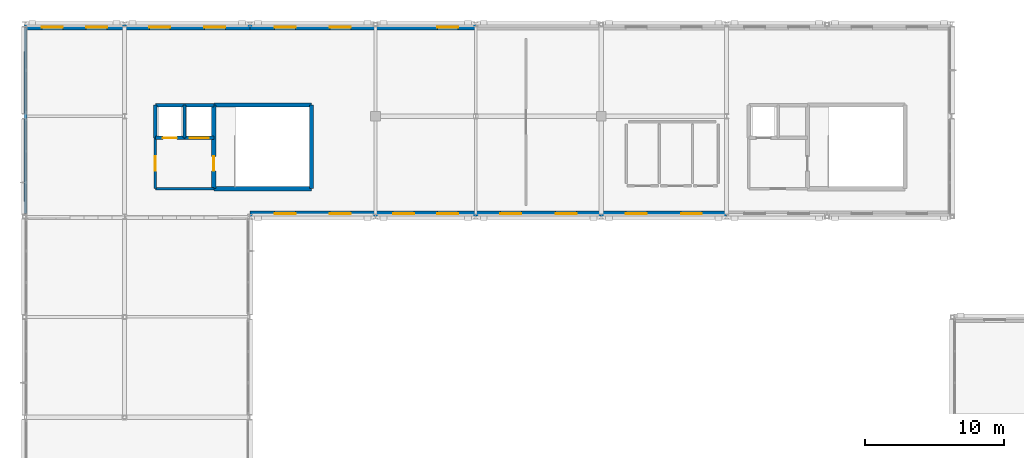
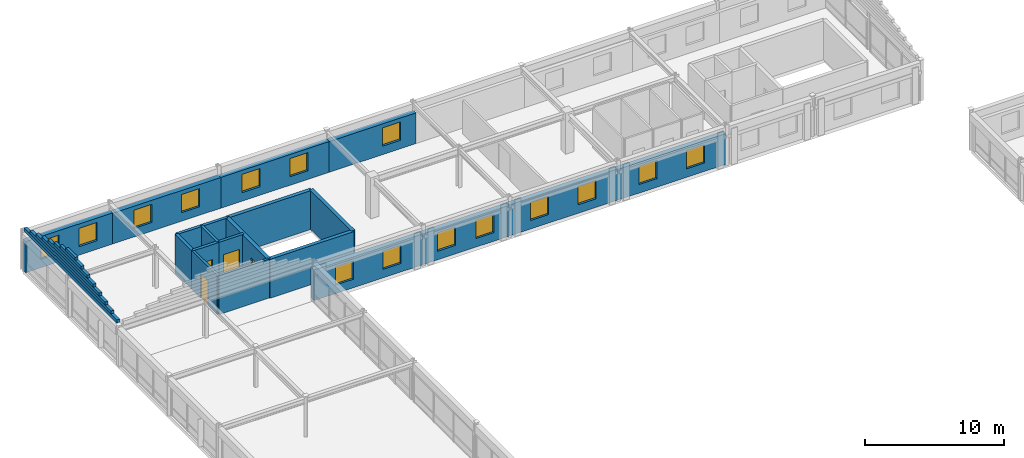
# One storey, part 40 of 52: 27 walls, 15 windows, 4 doors, 19 openings.
"""IFC4 building model written with IfcOpenShell, lengths in metres."""

from ifc_helpers import new_model, si_unit, direction, frame, frame_2d, origin, place, context, subcontext, project, spatial, rectangle, extrude, material, layer, layer_set, type_object, element, fill, save


model = new_model("IFC4")

# Units and contexts
model_context = context("Model", 3, precision=1e-05, world=origin(), true_north=direction((0.0, 1.0)))
body_context = subcontext(model_context, "Body", "Model", "MODEL_VIEW")
ifc_project = project(units=[si_unit("LENGTHUNIT", "METRE"), si_unit("AREAUNIT", "SQUARE_METRE"), si_unit("VOLUMEUNIT", "CUBIC_METRE"), si_unit("PLANEANGLEUNIT", "RADIAN"), si_unit("MASSUNIT", "GRAM", prefix="KILO")], contexts=[model_context])

# Site, building, storey
site_placement = place(None, origin())
site = spatial("IfcSite", under=ifc_project, at=site_placement, CompositionType="ELEMENT")
building_placement = place(site_placement, origin())
building = spatial("IfcBuilding", under=site, at=building_placement, Name="Clarverna Civic Hall", CompositionType="ELEMENT")
storey_placement = place(building_placement, frame((0.0, 0.0, 16.800048828125)))
storey = spatial("IfcBuildingStorey", under=building, at=storey_placement, Name="L04", CompositionType="ELEMENT", Elevation=16.800048828125)

# Wall, openings, windows
ifc_material_1 = material(Name="Montjuic Limestone Ashlar Cladding", Category="masonry")
ifc_layer_1 = layer(ifc_material_1, 0.39990234375)
ifc_layer_set_1 = layer_set([ifc_layer_1], Name="Montjuic Limestone Ashlar Cladding")
wall_type_1 = type_object("IfcWallType", Name="EW-02", PredefinedType="SOLIDWALL", material=ifc_layer_set_1)
wall_1_placement = place(storey_placement, frame((0.0, 115.800048828125, 0.0), z_axis=(0.0, 0.0, 1.0), x_axis=(1.0, 0.0, 0.0)))
wall_1 = element("IfcWall", 1, at=wall_1_placement, inside=storey, type_object=wall_type_1, Name="EW-02-238", PredefinedType="SOLIDWALL", context=body_context, shape_type="SweptSolid", body=[
    extrude(rectangle(XDim=7.199951171875, YDim=0.39990234375, at=frame_2d((3.60009765625, 0.0))), origin(), (0.0, 0.0, 1.0), 2.739990234375),
])
opening_1_placement = place(wall_1_placement, frame((1.26611328125, 0.0, 0.75)))
opening_1 = element("IfcOpeningElement", 2, at=opening_1_placement, cuts=wall_1, Name="Opening WN-14", PredefinedType="OPENING", context=body_context, shape_type="SweptSolid", body=[
    extrude(rectangle(XDim=1.5, YDim=1.60009765625, at=frame_2d((0.75, 0.800048828125))), frame((0.0, 0.2099609375, 0.0), z_axis=(0.0, -1.0, 0.0), x_axis=(1.0, 0.0, 0.0)), (0.0, 0.0, 1.0), 0.419921875),
])
opening_2_placement = place(wall_1_placement, frame((4.43408203125, 0.0, 0.75)))
opening_2 = element("IfcOpeningElement", 3, at=opening_2_placement, cuts=wall_1, Name="Opening WN-14", PredefinedType="OPENING", context=body_context, shape_type="SweptSolid", body=[
    extrude(rectangle(XDim=1.5, YDim=1.60009765625, at=frame_2d((0.75, 0.800048828125))), frame((0.0, 0.2099609375, 0.0), z_axis=(0.0, -1.0, 0.0), x_axis=(1.0, 0.0, 0.0)), (0.0, 0.0, 1.0), 0.419921875),
])
ifc_material_2 = material(Name="Solar-Control Argon Low-E Double Glazing", Category="glass")
window_type = type_object("IfcWindowType", Name="WN-14", PartitioningType="DOUBLE_PANEL_HORIZONTAL", PredefinedType="WINDOW", material=ifc_material_2)
window_1_placement = place(opening_1_placement, origin())
window_1 = element("IfcWindow", 4, at=window_1_placement, inside=storey, type_object=window_type, Name="WN-14-262", OverallHeight=1.60009765625, OverallWidth=1.5, PartitioningType="DOUBLE_PANEL_HORIZONTAL", PredefinedType="WINDOW", context=body_context, shape_type="SweptSolid", body=[
    extrude(rectangle(XDim=1.5, YDim=1.60009765625, at=frame_2d((0.75, 0.800048828125))), frame((0.0, 0.030029296875, 0.0), z_axis=(0.0, -1.0, 0.0), x_axis=(1.0, 0.0, 0.0)), (0.0, 0.0, 1.0), 0.06005859375),
])
fill(opening_1, window_1)
window_2_placement = place(opening_2_placement, origin())
window_2 = element("IfcWindow", 5, at=window_2_placement, inside=storey, type_object=window_type, Name="WN-14-263", OverallHeight=1.60009765625, OverallWidth=1.5, PartitioningType="DOUBLE_PANEL_HORIZONTAL", PredefinedType="WINDOW", context=body_context, shape_type="SweptSolid", body=[
    extrude(rectangle(XDim=1.5, YDim=1.60009765625, at=frame_2d((0.75, 0.800048828125))), frame((0.0, 0.030029296875, 0.0), z_axis=(0.0, -1.0, 0.0), x_axis=(1.0, 0.0, 0.0)), (0.0, 0.0, 1.0), 0.06005859375),
])
fill(opening_2, window_2)

wall_2_placement = place(storey_placement, frame((7.199951171875, 115.800048828125, 0.0), z_axis=(0.0, 0.0, 1.0), x_axis=(1.0, 0.0, 0.0)))
wall_2 = element("IfcWall", 6, at=wall_2_placement, inside=storey, type_object=wall_type_1, Name="EW-02-239", PredefinedType="SOLIDWALL", context=body_context, shape_type="SweptSolid", body=[
    extrude(rectangle(XDim=9.0, YDim=0.39990234375, at=frame_2d((4.5, 0.0))), origin(), (0.0, 0.0, 1.0), 2.699951171875),
])
opening_3_placement = place(wall_2_placement, frame((1.77001953125, 0.0, 0.75)))
opening_3 = element("IfcOpeningElement", 7, at=opening_3_placement, cuts=wall_2, Name="Opening WN-14", PredefinedType="OPENING", context=body_context, shape_type="SweptSolid", body=[
    extrude(rectangle(XDim=1.5, YDim=1.60009765625, at=frame_2d((0.75, 0.800048828125))), frame((0.0, 0.2099609375, 0.0), z_axis=(0.0, -1.0, 0.0), x_axis=(1.0, 0.0, 0.0)), (0.0, 0.0, 1.0), 0.419921875),
])
opening_4_placement = place(wall_2_placement, frame((5.72998046875, 0.0, 0.75)))
opening_4 = element("IfcOpeningElement", 8, at=opening_4_placement, cuts=wall_2, Name="Opening WN-14", PredefinedType="OPENING", context=body_context, shape_type="SweptSolid", body=[
    extrude(rectangle(XDim=1.5, YDim=1.60009765625, at=frame_2d((0.75, 0.800048828125))), frame((0.0, 0.2099609375, 0.0), z_axis=(0.0, -1.0, 0.0), x_axis=(1.0, 0.0, 0.0)), (0.0, 0.0, 1.0), 0.419921875),
])
window_3_placement = place(opening_3_placement, origin())
window_3 = element("IfcWindow", 9, at=window_3_placement, inside=storey, type_object=window_type, Name="WN-14-264", OverallHeight=1.60009765625, OverallWidth=1.5, PartitioningType="DOUBLE_PANEL_HORIZONTAL", PredefinedType="WINDOW", context=body_context, shape_type="SweptSolid", body=[
    extrude(rectangle(XDim=1.5, YDim=1.60009765625, at=frame_2d((0.75, 0.800048828125))), frame((0.0, 0.030029296875, 0.0), z_axis=(0.0, -1.0, 0.0), x_axis=(1.0, 0.0, 0.0)), (0.0, 0.0, 1.0), 0.06005859375),
])
fill(opening_3, window_3)
window_4_placement = place(opening_4_placement, origin())
window_4 = element("IfcWindow", 10, at=window_4_placement, inside=storey, type_object=window_type, Name="WN-14-265", OverallHeight=1.60009765625, OverallWidth=1.5, PartitioningType="DOUBLE_PANEL_HORIZONTAL", PredefinedType="WINDOW", context=body_context, shape_type="SweptSolid", body=[
    extrude(rectangle(XDim=1.5, YDim=1.60009765625, at=frame_2d((0.75, 0.800048828125))), frame((0.0, 0.030029296875, 0.0), z_axis=(0.0, -1.0, 0.0), x_axis=(1.0, 0.0, 0.0)), (0.0, 0.0, 1.0), 0.06005859375),
])
fill(opening_4, window_4)

wall_3_placement = place(storey_placement, frame((16.199951171875, 115.800048828125, 0.0), z_axis=(0.0, 0.0, 1.0), x_axis=(1.0, 0.0, 0.0)))
wall_3 = element("IfcWall", 11, at=wall_3_placement, inside=storey, type_object=wall_type_1, Name="EW-02-240", PredefinedType="SOLIDWALL", context=body_context, shape_type="SweptSolid", body=[
    extrude(rectangle(XDim=9.0, YDim=0.39990234375, at=frame_2d((4.5, 0.0))), origin(), (0.0, 0.0, 1.0), 2.699951171875),
])
opening_5_placement = place(wall_3_placement, frame((1.77001953125, 0.0, 0.75)))
opening_5 = element("IfcOpeningElement", 12, at=opening_5_placement, cuts=wall_3, Name="Opening WN-14", PredefinedType="OPENING", context=body_context, shape_type="SweptSolid", body=[
    extrude(rectangle(XDim=1.5, YDim=1.60009765625, at=frame_2d((0.75, 0.800048828125))), frame((0.0, 0.2099609375, 0.0), z_axis=(0.0, -1.0, 0.0), x_axis=(1.0, 0.0, 0.0)), (0.0, 0.0, 1.0), 0.419921875),
])
opening_6_placement = place(wall_3_placement, frame((5.72998046875, 0.0, 0.75)))
opening_6 = element("IfcOpeningElement", 13, at=opening_6_placement, cuts=wall_3, Name="Opening WN-14", PredefinedType="OPENING", context=body_context, shape_type="SweptSolid", body=[
    extrude(rectangle(XDim=1.5, YDim=1.60009765625, at=frame_2d((0.75, 0.800048828125))), frame((0.0, 0.2099609375, 0.0), z_axis=(0.0, -1.0, 0.0), x_axis=(1.0, 0.0, 0.0)), (0.0, 0.0, 1.0), 0.419921875),
])
window_5_placement = place(opening_5_placement, origin())
window_5 = element("IfcWindow", 14, at=window_5_placement, inside=storey, type_object=window_type, Name="WN-14-266", OverallHeight=1.60009765625, OverallWidth=1.5, PartitioningType="DOUBLE_PANEL_HORIZONTAL", PredefinedType="WINDOW", context=body_context, shape_type="SweptSolid", body=[
    extrude(rectangle(XDim=1.5, YDim=1.60009765625, at=frame_2d((0.75, 0.800048828125))), frame((0.0, 0.030029296875, 0.0), z_axis=(0.0, -1.0, 0.0), x_axis=(1.0, 0.0, 0.0)), (0.0, 0.0, 1.0), 0.06005859375),
])
fill(opening_5, window_5)
window_6_placement = place(opening_6_placement, origin())
window_6 = element("IfcWindow", 15, at=window_6_placement, inside=storey, type_object=window_type, Name="WN-14-267", OverallHeight=1.60009765625, OverallWidth=1.5, PartitioningType="DOUBLE_PANEL_HORIZONTAL", PredefinedType="WINDOW", context=body_context, shape_type="SweptSolid", body=[
    extrude(rectangle(XDim=1.5, YDim=1.60009765625, at=frame_2d((0.75, 0.800048828125))), frame((0.0, 0.030029296875, 0.0), z_axis=(0.0, -1.0, 0.0), x_axis=(1.0, 0.0, 0.0)), (0.0, 0.0, 1.0), 0.06005859375),
])
fill(opening_6, window_6)

# Wall, opening, window
wall_4_placement = place(storey_placement, frame((25.199951171875, 115.800048828125, 0.0), z_axis=(0.0, 0.0, 1.0), x_axis=(1.0, 0.0, 0.0)))
wall_4 = element("IfcWall", 16, at=wall_4_placement, inside=storey, type_object=wall_type_1, Name="EW-02-241", PredefinedType="SOLIDWALL", context=body_context, shape_type="SweptSolid", body=[
    extrude(rectangle(XDim=7.199951171875, YDim=0.39990234375, at=frame_2d((3.60009765625, 0.0))), origin(), (0.0, 0.0, 1.0), 2.699951171875),
])
opening_7_placement = place(wall_4_placement, frame((4.43408203125, 0.0, 0.75)))
opening_7 = element("IfcOpeningElement", 17, at=opening_7_placement, cuts=wall_4, Name="Opening WN-14", PredefinedType="OPENING", context=body_context, shape_type="SweptSolid", body=[
    extrude(rectangle(XDim=1.5, YDim=1.60009765625, at=frame_2d((0.75, 0.800048828125))), frame((0.0, 0.2099609375, 0.0), z_axis=(0.0, -1.0, 0.0), x_axis=(1.0, 0.0, 0.0)), (0.0, 0.0, 1.0), 0.419921875),
])
window_7_placement = place(opening_7_placement, origin())
window_7 = element("IfcWindow", 18, at=window_7_placement, inside=storey, type_object=window_type, Name="WN-14-268", OverallHeight=1.60009765625, OverallWidth=1.5, PartitioningType="DOUBLE_PANEL_HORIZONTAL", PredefinedType="WINDOW", context=body_context, shape_type="SweptSolid", body=[
    extrude(rectangle(XDim=1.5, YDim=1.60009765625, at=frame_2d((0.75, 0.800048828125))), frame((0.0, 0.030029296875, 0.0), z_axis=(0.0, -1.0, 0.0), x_axis=(1.0, 0.0, 0.0)), (0.0, 0.0, 1.0), 0.06005859375),
])
fill(opening_7, window_7)

# Wall, openings, windows
wall_5_placement = place(storey_placement, frame((50.39990234375, 102.39990234375, 0.0), z_axis=(0.0, 0.0, 1.0), x_axis=(-1.0, 0.0, 0.0)))
wall_5 = element("IfcWall", 19, at=wall_5_placement, inside=storey, type_object=wall_type_1, Name="EW-02-248", PredefinedType="SOLIDWALL", context=body_context, shape_type="SweptSolid", body=[
    extrude(rectangle(XDim=9.0, YDim=0.39990234375, at=frame_2d((4.5, 0.0))), origin(), (0.0, 0.0, 1.0), 2.699951171875),
])
opening_8_placement = place(wall_5_placement, frame((1.77001953125, 0.0, 0.75)))
opening_8 = element("IfcOpeningElement", 20, at=opening_8_placement, cuts=wall_5, Name="Opening WN-14", PredefinedType="OPENING", context=body_context, shape_type="SweptSolid", body=[
    extrude(rectangle(XDim=1.5, YDim=1.60009765625, at=frame_2d((0.75, 0.800048828125))), frame((0.0, 0.2099609375, 0.0), z_axis=(0.0, -1.0, 0.0), x_axis=(1.0, 0.0, 0.0)), (0.0, 0.0, 1.0), 0.419921875),
])
opening_9_placement = place(wall_5_placement, frame((5.72998046875, 0.0, 0.75)))
opening_9 = element("IfcOpeningElement", 21, at=opening_9_placement, cuts=wall_5, Name="Opening WN-14", PredefinedType="OPENING", context=body_context, shape_type="SweptSolid", body=[
    extrude(rectangle(XDim=1.5, YDim=1.60009765625, at=frame_2d((0.75, 0.800048828125))), frame((0.0, 0.2099609375, 0.0), z_axis=(0.0, -1.0, 0.0), x_axis=(1.0, 0.0, 0.0)), (0.0, 0.0, 1.0), 0.419921875),
])
window_8_placement = place(opening_8_placement, origin())
window_8 = element("IfcWindow", 22, at=window_8_placement, inside=storey, type_object=window_type, Name="WN-14-279", OverallHeight=1.60009765625, OverallWidth=1.5, PartitioningType="DOUBLE_PANEL_HORIZONTAL", PredefinedType="WINDOW", context=body_context, shape_type="SweptSolid", body=[
    extrude(rectangle(XDim=1.5, YDim=1.60009765625, at=frame_2d((0.75, 0.800048828125))), frame((0.0, 0.030029296875, 0.0), z_axis=(0.0, -1.0, 0.0), x_axis=(1.0, 0.0, 0.0)), (0.0, 0.0, 1.0), 0.06005859375),
])
fill(opening_8, window_8)
window_9_placement = place(opening_9_placement, origin())
window_9 = element("IfcWindow", 23, at=window_9_placement, inside=storey, type_object=window_type, Name="WN-14-280", OverallHeight=1.60009765625, OverallWidth=1.5, PartitioningType="DOUBLE_PANEL_HORIZONTAL", PredefinedType="WINDOW", context=body_context, shape_type="SweptSolid", body=[
    extrude(rectangle(XDim=1.5, YDim=1.60009765625, at=frame_2d((0.75, 0.800048828125))), frame((0.0, 0.030029296875, 0.0), z_axis=(0.0, -1.0, 0.0), x_axis=(1.0, 0.0, 0.0)), (0.0, 0.0, 1.0), 0.06005859375),
])
fill(opening_9, window_9)

wall_6_placement = place(storey_placement, frame((41.39990234375, 102.39990234375, 0.0), z_axis=(0.0, 0.0, 1.0), x_axis=(-1.0, 0.0, 0.0)))
wall_6 = element("IfcWall", 24, at=wall_6_placement, inside=storey, type_object=wall_type_1, Name="EW-02-249", PredefinedType="SOLIDWALL", context=body_context, shape_type="SweptSolid", body=[
    extrude(rectangle(XDim=9.0, YDim=0.39990234375, at=frame_2d((4.5, 0.0))), origin(), (0.0, 0.0, 1.0), 2.739990234375),
])
opening_10_placement = place(wall_6_placement, frame((1.77001953125, 0.0, 0.75)))
opening_10 = element("IfcOpeningElement", 25, at=opening_10_placement, cuts=wall_6, Name="Opening WN-14", PredefinedType="OPENING", context=body_context, shape_type="SweptSolid", body=[
    extrude(rectangle(XDim=1.5, YDim=1.60009765625, at=frame_2d((0.75, 0.800048828125))), frame((0.0, 0.2099609375, 0.0), z_axis=(0.0, -1.0, 0.0), x_axis=(1.0, 0.0, 0.0)), (0.0, 0.0, 1.0), 0.419921875),
])
opening_11_placement = place(wall_6_placement, frame((5.72998046875, 0.0, 0.75)))
opening_11 = element("IfcOpeningElement", 26, at=opening_11_placement, cuts=wall_6, Name="Opening WN-14", PredefinedType="OPENING", context=body_context, shape_type="SweptSolid", body=[
    extrude(rectangle(XDim=1.5, YDim=1.60009765625, at=frame_2d((0.75, 0.800048828125))), frame((0.0, 0.2099609375, 0.0), z_axis=(0.0, -1.0, 0.0), x_axis=(1.0, 0.0, 0.0)), (0.0, 0.0, 1.0), 0.419921875),
])
window_10_placement = place(opening_10_placement, origin())
window_10 = element("IfcWindow", 27, at=window_10_placement, inside=storey, type_object=window_type, Name="WN-14-281", OverallHeight=1.60009765625, OverallWidth=1.5, PartitioningType="DOUBLE_PANEL_HORIZONTAL", PredefinedType="WINDOW", context=body_context, shape_type="SweptSolid", body=[
    extrude(rectangle(XDim=1.5, YDim=1.60009765625, at=frame_2d((0.75, 0.800048828125))), frame((0.0, 0.030029296875, 0.0), z_axis=(0.0, -1.0, 0.0), x_axis=(1.0, 0.0, 0.0)), (0.0, 0.0, 1.0), 0.06005859375),
])
fill(opening_10, window_10)
window_11_placement = place(opening_11_placement, origin())
window_11 = element("IfcWindow", 28, at=window_11_placement, inside=storey, type_object=window_type, Name="WN-14-282", OverallHeight=1.60009765625, OverallWidth=1.5, PartitioningType="DOUBLE_PANEL_HORIZONTAL", PredefinedType="WINDOW", context=body_context, shape_type="SweptSolid", body=[
    extrude(rectangle(XDim=1.5, YDim=1.60009765625, at=frame_2d((0.75, 0.800048828125))), frame((0.0, 0.030029296875, 0.0), z_axis=(0.0, -1.0, 0.0), x_axis=(1.0, 0.0, 0.0)), (0.0, 0.0, 1.0), 0.06005859375),
])
fill(opening_11, window_11)

wall_7_placement = place(storey_placement, frame((32.39990234375, 102.39990234375, 0.0), z_axis=(0.0, 0.0, 1.0), x_axis=(-1.0, 0.0, 0.0)))
wall_7 = element("IfcWall", 29, at=wall_7_placement, inside=storey, type_object=wall_type_1, Name="EW-02-250", PredefinedType="SOLIDWALL", context=body_context, shape_type="SweptSolid", body=[
    extrude(rectangle(XDim=7.199951171875, YDim=0.39990234375, at=frame_2d((3.60009765625, 0.0))), origin(), (0.0, 0.0, 1.0), 2.699951171875),
])
opening_12_placement = place(wall_7_placement, frame((1.26611328125, 0.0, 0.75)))
opening_12 = element("IfcOpeningElement", 30, at=opening_12_placement, cuts=wall_7, Name="Opening WN-14", PredefinedType="OPENING", context=body_context, shape_type="SweptSolid", body=[
    extrude(rectangle(XDim=1.5, YDim=1.60009765625, at=frame_2d((0.75, 0.800048828125))), frame((0.0, 0.2099609375, 0.0), z_axis=(0.0, -1.0, 0.0), x_axis=(1.0, 0.0, 0.0)), (0.0, 0.0, 1.0), 0.419921875),
])
opening_13_placement = place(wall_7_placement, frame((4.43408203125, 0.0, 0.75)))
opening_13 = element("IfcOpeningElement", 31, at=opening_13_placement, cuts=wall_7, Name="Opening WN-14", PredefinedType="OPENING", context=body_context, shape_type="SweptSolid", body=[
    extrude(rectangle(XDim=1.5, YDim=1.60009765625, at=frame_2d((0.75, 0.800048828125))), frame((0.0, 0.2099609375, 0.0), z_axis=(0.0, -1.0, 0.0), x_axis=(1.0, 0.0, 0.0)), (0.0, 0.0, 1.0), 0.419921875),
])
window_12_placement = place(opening_12_placement, origin())
window_12 = element("IfcWindow", 32, at=window_12_placement, inside=storey, type_object=window_type, Name="WN-14-283", OverallHeight=1.60009765625, OverallWidth=1.5, PartitioningType="DOUBLE_PANEL_HORIZONTAL", PredefinedType="WINDOW", context=body_context, shape_type="SweptSolid", body=[
    extrude(rectangle(XDim=1.5, YDim=1.60009765625, at=frame_2d((0.75, 0.800048828125))), frame((0.0, 0.030029296875, 0.0), z_axis=(0.0, -1.0, 0.0), x_axis=(1.0, 0.0, 0.0)), (0.0, 0.0, 1.0), 0.06005859375),
])
fill(opening_12, window_12)
window_13_placement = place(opening_13_placement, origin())
window_13 = element("IfcWindow", 33, at=window_13_placement, inside=storey, type_object=window_type, Name="WN-14-284", OverallHeight=1.60009765625, OverallWidth=1.5, PartitioningType="DOUBLE_PANEL_HORIZONTAL", PredefinedType="WINDOW", context=body_context, shape_type="SweptSolid", body=[
    extrude(rectangle(XDim=1.5, YDim=1.60009765625, at=frame_2d((0.75, 0.800048828125))), frame((0.0, 0.030029296875, 0.0), z_axis=(0.0, -1.0, 0.0), x_axis=(1.0, 0.0, 0.0)), (0.0, 0.0, 1.0), 0.06005859375),
])
fill(opening_13, window_13)

wall_8_placement = place(storey_placement, frame((25.199951171875, 102.39990234375, 0.0), z_axis=(0.0, 0.0, 1.0), x_axis=(-1.0, 0.0, 0.0)))
wall_8 = element("IfcWall", 34, at=wall_8_placement, inside=storey, type_object=wall_type_1, Name="EW-02-251", PredefinedType="SOLIDWALL", context=body_context, shape_type="SweptSolid", body=[
    extrude(rectangle(XDim=9.0, YDim=0.39990234375, at=frame_2d((4.5, 0.0))), origin(), (0.0, 0.0, 1.0), 2.699951171875),
])
opening_14_placement = place(wall_8_placement, frame((1.77001953125, 0.0, 0.75)))
opening_14 = element("IfcOpeningElement", 35, at=opening_14_placement, cuts=wall_8, Name="Opening WN-14", PredefinedType="OPENING", context=body_context, shape_type="SweptSolid", body=[
    extrude(rectangle(XDim=1.5, YDim=1.60009765625, at=frame_2d((0.75, 0.800048828125))), frame((0.0, 0.2099609375, 0.0), z_axis=(0.0, -1.0, 0.0), x_axis=(1.0, 0.0, 0.0)), (0.0, 0.0, 1.0), 0.419921875),
])
opening_15_placement = place(wall_8_placement, frame((5.72998046875, 0.0, 0.75)))
opening_15 = element("IfcOpeningElement", 36, at=opening_15_placement, cuts=wall_8, Name="Opening WN-14", PredefinedType="OPENING", context=body_context, shape_type="SweptSolid", body=[
    extrude(rectangle(XDim=1.5, YDim=1.60009765625, at=frame_2d((0.75, 0.800048828125))), frame((0.0, 0.2099609375, 0.0), z_axis=(0.0, -1.0, 0.0), x_axis=(1.0, 0.0, 0.0)), (0.0, 0.0, 1.0), 0.419921875),
])
window_14_placement = place(opening_14_placement, origin())
window_14 = element("IfcWindow", 37, at=window_14_placement, inside=storey, type_object=window_type, Name="WN-14-285", OverallHeight=1.60009765625, OverallWidth=1.5, PartitioningType="DOUBLE_PANEL_HORIZONTAL", PredefinedType="WINDOW", context=body_context, shape_type="SweptSolid", body=[
    extrude(rectangle(XDim=1.5, YDim=1.60009765625, at=frame_2d((0.75, 0.800048828125))), frame((0.0, 0.030029296875, 0.0), z_axis=(0.0, -1.0, 0.0), x_axis=(1.0, 0.0, 0.0)), (0.0, 0.0, 1.0), 0.06005859375),
])
fill(opening_14, window_14)
window_15_placement = place(opening_15_placement, origin())
window_15 = element("IfcWindow", 38, at=window_15_placement, inside=storey, type_object=window_type, Name="WN-14-286", OverallHeight=1.60009765625, OverallWidth=1.5, PartitioningType="DOUBLE_PANEL_HORIZONTAL", PredefinedType="WINDOW", context=body_context, shape_type="SweptSolid", body=[
    extrude(rectangle(XDim=1.5, YDim=1.60009765625, at=frame_2d((0.75, 0.800048828125))), frame((0.0, 0.030029296875, 0.0), z_axis=(0.0, -1.0, 0.0), x_axis=(1.0, 0.0, 0.0)), (0.0, 0.0, 1.0), 0.06005859375),
])
fill(opening_15, window_15)

# Walls
ifc_material_3 = material(Name="Precast concrete C40/50", Category="concrete")
ifc_layer_2 = layer(ifc_material_3, 0.239990234375)
ifc_layer_set_2 = layer_set([ifc_layer_2], Name="Precast concrete C40/50")
wall_type_2 = type_object("IfcWallType", Name="PR-01", PredefinedType="PARAPET", material=ifc_layer_set_2)
wall_9_placement = place(storey_placement, frame((0.080078125, 102.421142578125, 3.56005859375), z_axis=(0.0, 0.0, 1.0), x_axis=(0.0, 1.0, 0.0)))
element("IfcWall", 39, at=wall_9_placement, inside=storey, type_object=wall_type_2, Name="PR-01-103", PredefinedType="PARAPET", context=body_context, shape_type="SweptSolid", body=[
    extrude(rectangle(XDim=13.357666015625, YDim=0.239990234375, at=frame_2d((6.6787109375, 0.0))), origin(), (0.0, 0.0, 1.0), 0.3037109375),
])
wall_10_placement = place(storey_placement, frame((0.080078125, 103.277587890625, 3.86376953125), z_axis=(0.0, 0.0, 1.0), x_axis=(0.0, 1.0, 0.0)))
element("IfcWall", 40, at=wall_10_placement, inside=storey, type_object=wall_type_2, Name="PR-01-104", PredefinedType="PARAPET", context=body_context, shape_type="SweptSolid", body=[
    extrude(rectangle(XDim=11.64501953125, YDim=0.239990234375, at=frame_2d((5.822509765625, 0.0))), origin(), (0.0, 0.0, 1.0), 0.26416015625),
])
wall_11_placement = place(storey_placement, frame((0.080078125, 104.1337890625, 4.1279296875), z_axis=(0.0, 0.0, 1.0), x_axis=(0.0, 1.0, 0.0)))
element("IfcWall", 41, at=wall_11_placement, inside=storey, type_object=wall_type_2, Name="PR-01-105", PredefinedType="PARAPET", context=body_context, shape_type="SweptSolid", body=[
    extrude(rectangle(XDim=9.9326171875, YDim=0.239990234375, at=frame_2d((4.96630859375, 0.0))), origin(), (0.0, 0.0, 1.0), 0.263916015625),
])
wall_12_placement = place(storey_placement, frame((0.080078125, 104.989990234375, 4.391845703125), z_axis=(0.0, 0.0, 1.0), x_axis=(0.0, 1.0, 0.0)))
element("IfcWall", 42, at=wall_12_placement, inside=storey, type_object=wall_type_2, Name="PR-01-106", PredefinedType="PARAPET", context=body_context, shape_type="SweptSolid", body=[
    extrude(rectangle(XDim=8.219970703125, YDim=0.239990234375, at=frame_2d((4.10986328125, 0.0))), origin(), (0.0, 0.0, 1.0), 0.263916015625),
])
wall_13_placement = place(storey_placement, frame((0.080078125, 105.84619140625, 4.65576171875), z_axis=(0.0, 0.0, 1.0), x_axis=(0.0, 1.0, 0.0)))
element("IfcWall", 43, at=wall_13_placement, inside=storey, type_object=wall_type_2, Name="PR-01-107", PredefinedType="PARAPET", context=body_context, shape_type="SweptSolid", body=[
    extrude(rectangle(XDim=6.507568359375, YDim=0.239990234375, at=frame_2d((3.25390625, 0.0))), origin(), (0.0, 0.0, 1.0), 0.263916015625),
])
wall_14_placement = place(storey_placement, frame((0.080078125, 106.702392578125, 4.919677734375), z_axis=(0.0, 0.0, 1.0), x_axis=(0.0, 1.0, 0.0)))
element("IfcWall", 44, at=wall_14_placement, inside=storey, type_object=wall_type_2, Name="PR-01-108", PredefinedType="PARAPET", context=body_context, shape_type="SweptSolid", body=[
    extrude(rectangle(XDim=4.795166015625, YDim=0.239990234375, at=frame_2d((2.3974609375, 0.0))), origin(), (0.0, 0.0, 1.0), 0.263916015625),
])
wall_15_placement = place(storey_placement, frame((0.080078125, 107.55859375, 5.18359375), z_axis=(0.0, 0.0, 1.0), x_axis=(0.0, 1.0, 0.0)))
element("IfcWall", 45, at=wall_15_placement, inside=storey, type_object=wall_type_2, Name="PR-01-109", PredefinedType="PARAPET", context=body_context, shape_type="SweptSolid", body=[
    extrude(rectangle(XDim=3.082763671875, YDim=0.239990234375, at=frame_2d((1.54150390625, 0.0))), origin(), (0.0, 0.0, 1.0), 0.263916015625),
])
wall_16_placement = place(storey_placement, frame((0.080078125, 108.4150390625, 5.447509765625), z_axis=(0.0, 0.0, 1.0), x_axis=(0.0, 1.0, 0.0)))
element("IfcWall", 46, at=wall_16_placement, inside=storey, type_object=wall_type_2, Name="PR-01-110", PredefinedType="PARAPET", context=body_context, shape_type="SweptSolid", body=[
    extrude(rectangle(XDim=1.369873046875, YDim=0.239990234375, at=frame_2d((0.68505859375, 0.0))), origin(), (0.0, 0.0, 1.0), 0.263916015625),
])

# Wall, opening, door
ifc_material_4 = material(Name="Acoustic Gypsum Plasterboard on Twin Frame", Category="gypsum")
ifc_layer_3 = layer(ifc_material_4, 0.18994140625)
ifc_layer_set_3 = layer_set([ifc_layer_3], Name="Acoustic Gypsum Plasterboard on Twin Frame")
wall_type_3 = type_object("IfcWallType", Name="PW-06", PredefinedType="PARTITIONING", material=ifc_layer_set_3)
wall_17_placement = place(storey_placement, frame((9.39990234375, 104.199951171875, 0.0), z_axis=(0.0, 0.0, 1.0), x_axis=(0.0, 1.0, 0.0)))
wall_17 = element("IfcWall", 47, at=wall_17_placement, inside=storey, type_object=wall_type_3, Name="PW-06-067", PredefinedType="PARTITIONING", context=body_context, shape_type="SweptSolid", body=[
    extrude(rectangle(XDim=3.650146484375, YDim=0.18994140625, at=frame_2d((1.8251953125, 0.0))), origin(), (0.0, 0.0, 1.0), 3.419921875),
])
opening_16_placement = place(wall_17_placement, frame((1.300048828125, 0.0, 0.0)))
opening_16 = element("IfcOpeningElement", 48, at=opening_16_placement, cuts=wall_17, Name="Opening FD-02", PredefinedType="OPENING", context=body_context, shape_type="SweptSolid", body=[
    extrude(rectangle(XDim=1.050048828125, YDim=2.14990234375, at=frame_2d((0.52490234375, 1.074951171875))), frame((0.0, 0.10498046875, 0.0), z_axis=(0.0, -1.0, 0.0), x_axis=(1.0, 0.0, 0.0)), (0.0, 0.0, 1.0), 0.2099609375),
])
ifc_material_5 = material(Name="Acoustic Timber-Faced Fire Door", Category="wood")
door_type_1 = type_object("IfcDoorType", Name="FD-02", OperationType="NOTDEFINED", PredefinedType="DOOR", material=ifc_material_5)
door_1_placement = place(opening_16_placement, origin())
door_1 = element("IfcDoor", 49, at=door_1_placement, inside=storey, type_object=door_type_1, Name="FD-02-063", OperationType="SINGLE_SWING_RIGHT", OverallHeight=2.14990234375, OverallWidth=1.050048828125, PredefinedType="DOOR", context=body_context, shape_type="SweptSolid", body=[
    extrude(rectangle(XDim=1.050048828125, YDim=2.14990234375, at=frame_2d((0.52490234375, 1.074951171875))), frame((0.0, 0.02490234375, 0.0), z_axis=(0.0, -1.0, 0.0), x_axis=(1.0, 0.0, 0.0)), (0.0, 0.0, 1.0), 0.050048828125),
])
fill(opening_16, door_1)

# Wall
wall_18_placement = place(storey_placement, frame((9.39990234375, 104.199951171875, 0.0), z_axis=(0.0, 0.0, 1.0), x_axis=(1.0, 0.0, 0.0)))
element("IfcWall", 50, at=wall_18_placement, inside=storey, type_object=wall_type_3, Name="PW-06-068", PredefinedType="PARTITIONING", context=body_context, shape_type="SweptSolid", body=[
    extrude(rectangle(XDim=4.2001953125, YDim=0.18994140625, at=frame_2d((2.10009765625, 0.0))), origin(), (0.0, 0.0, 1.0), 3.419921875),
])

# Wall, opening, door
ifc_material_6 = material(Name="Concrete C35/45", Category="concrete")
ifc_layer_4 = layer(ifc_material_6, 0.300048828125)
ifc_layer_set_4 = layer_set([ifc_layer_4], Name="Concrete C35/45")
wall_type_4 = type_object("IfcWallType", Name="SW-03", PredefinedType="SHEAR", material=ifc_layer_set_4)
wall_19_placement = place(storey_placement, frame((13.60009765625, 104.199951171875, 0.0), z_axis=(0.0, 0.0, 1.0), x_axis=(0.0, 1.0, 0.0)))
wall_19 = element("IfcWall", 51, at=wall_19_placement, inside=storey, type_object=wall_type_4, Name="SW-03-046", PredefinedType="SHEAR", context=body_context, shape_type="SweptSolid", body=[
    extrude(rectangle(XDim=6.0, YDim=0.300048828125, at=frame_2d((3.0, 0.0))), origin(), (0.0, 0.0, 1.0), 3.419921875),
])
opening_17_placement = place(wall_19_placement, frame((1.27490234375, 0.0, 0.0)))
opening_17 = element("IfcOpeningElement", 52, at=opening_17_placement, cuts=wall_19, Name="Opening FD-02", PredefinedType="OPENING", context=body_context, shape_type="SweptSolid", body=[
    extrude(rectangle(XDim=1.050048828125, YDim=2.14990234375, at=frame_2d((0.52490234375, 1.074951171875))), frame((0.0, 0.159912109375, 0.0), z_axis=(0.0, -1.0, 0.0), x_axis=(1.0, 0.0, 0.0)), (0.0, 0.0, 1.0), 0.320068359375),
])
door_2_placement = place(opening_17_placement, origin())
door_2 = element("IfcDoor", 53, at=door_2_placement, inside=storey, type_object=door_type_1, Name="FD-02-062", OperationType="SINGLE_SWING_LEFT", OverallHeight=2.14990234375, OverallWidth=1.050048828125, PredefinedType="DOOR", context=body_context, shape_type="SweptSolid", body=[
    extrude(rectangle(XDim=1.050048828125, YDim=2.14990234375, at=frame_2d((0.52490234375, 1.074951171875))), frame((0.0, 0.02490234375, 0.0), z_axis=(0.0, -1.0, 0.0), x_axis=(1.0, 0.0, 0.0)), (0.0, 0.0, 1.0), 0.050048828125),
])
fill(opening_17, door_2)

# Walls
wall_20_placement = place(storey_placement, frame((20.60009765625, 104.199951171875, 0.0), z_axis=(0.0, 0.0, 1.0), x_axis=(0.0, 1.0, 0.0)))
element("IfcWall", 54, at=wall_20_placement, inside=storey, type_object=wall_type_4, Name="SW-03-047", PredefinedType="SHEAR", context=body_context, shape_type="SweptSolid", body=[
    extrude(rectangle(XDim=6.0, YDim=0.300048828125, at=frame_2d((3.0, 0.0))), origin(), (0.0, 0.0, 1.0), 3.419921875),
])
for number, where, z_axis, x_axis, name in (
    (55, (13.60009765625, 104.199951171875, 0.0), (0.0, 0.0, 1.0), (1.0, 0.0, 0.0), "SW-03-048"),
    (56, (13.60009765625, 110.199951171875, 0.0), (0.0, 0.0, 1.0), (1.0, 0.0, 0.0), "SW-03-049"),
):
    element("IfcWall", number, at=place(storey_placement, frame(where, z_axis=z_axis, x_axis=x_axis)), inside=storey, type_object=wall_type_4, Name=name, PredefinedType="SHEAR", context=body_context, shape_type="SweptSolid", body=[
        extrude(rectangle(XDim=7.0, YDim=0.300048828125, at=frame_2d((3.5, 0.0))), origin(), (0.0, 0.0, 1.0), 3.419921875),
    ])
wall_21_placement = place(storey_placement, frame((9.39990234375, 110.199951171875, 0.0), z_axis=(0.0, 0.0, 1.0), x_axis=(1.0, 0.0, 0.0)))
element("IfcWall", 57, at=wall_21_placement, inside=storey, type_object=wall_type_4, Name="SW-03-050", PredefinedType="SHEAR", context=body_context, shape_type="SweptSolid", body=[
    extrude(rectangle(XDim=4.2001953125, YDim=0.239990234375, at=frame_2d((2.10009765625, 0.0))), origin(), (0.0, 0.0, 1.0), 3.419921875),
])
wall_22_placement = place(storey_placement, frame((9.39990234375, 107.85009765625, 0.0), z_axis=(0.0, 0.0, 1.0), x_axis=(0.0, 1.0, 0.0)))
element("IfcWall", 58, at=wall_22_placement, inside=storey, type_object=wall_type_4, Name="SW-03-051", PredefinedType="SHEAR", context=body_context, shape_type="SweptSolid", body=[
    extrude(rectangle(XDim=2.349853515625, YDim=0.239990234375, at=frame_2d((1.1748046875, 0.0))), origin(), (0.0, 0.0, 1.0), 3.419921875),
])
wall_23_placement = place(storey_placement, frame((11.5, 107.85009765625, 0.0), z_axis=(0.0, 0.0, 1.0), x_axis=(0.0, 1.0, 0.0)))
element("IfcWall", 59, at=wall_23_placement, inside=storey, type_object=wall_type_4, Name="SW-03-052", PredefinedType="SHEAR", context=body_context, shape_type="SweptSolid", body=[
    extrude(rectangle(XDim=2.349853515625, YDim=0.199951171875, at=frame_2d((1.1748046875, 0.0))), origin(), (0.0, 0.0, 1.0), 3.419921875),
])

# Wall, opening, door
wall_24_placement = place(storey_placement, frame((9.39990234375, 107.85009765625, 0.0), z_axis=(0.0, 0.0, 1.0), x_axis=(1.0, 0.0, 0.0)))
wall_24 = element("IfcWall", 60, at=wall_24_placement, inside=storey, type_object=wall_type_4, Name="SW-03-053", PredefinedType="SHEAR", context=body_context, shape_type="SweptSolid", body=[
    extrude(rectangle(XDim=2.10009765625, YDim=0.239990234375, at=frame_2d((1.050048828125, 0.0))), origin(), (0.0, 0.0, 1.0), 3.419921875),
])
opening_18_placement = place(wall_24_placement, frame((0.550048828125, 0.0, 0.0)))
opening_18 = element("IfcOpeningElement", 61, at=opening_18_placement, cuts=wall_24, Name="Opening LD-01", PredefinedType="OPENING", context=body_context, shape_type="SweptSolid", body=[
    extrude(rectangle(XDim=1.0, YDim=2.10009765625, at=frame_2d((0.5, 1.050048828125))), frame((0.0, 0.1298828125, 0.0), z_axis=(0.0, -1.0, 0.0), x_axis=(1.0, 0.0, 0.0)), (0.0, 0.0, 1.0), 0.260009765625),
])
ifc_material_7 = material(Name="Brushed Bronze Stainless Lift Landing Door")
door_type_2 = type_object("IfcDoorType", Name="LD-01", OperationType="SLIDING_TO_LEFT", PredefinedType="DOOR", material=ifc_material_7)
door_3_placement = place(opening_18_placement, origin())
door_3 = element("IfcDoor", 62, at=door_3_placement, inside=storey, type_object=door_type_2, Name="LD-01-058", OperationType="SLIDING_TO_LEFT", OverallHeight=2.10009765625, OverallWidth=1.0, PredefinedType="DOOR", context=body_context, shape_type="SweptSolid", body=[
    extrude(rectangle(XDim=1.0, YDim=2.10009765625, at=frame_2d((0.5, 1.050048828125))), frame((0.0, 0.02490234375, 0.0), z_axis=(0.0, -1.0, 0.0), x_axis=(1.0, 0.0, 0.0)), (0.0, 0.0, 1.0), 0.050048828125),
])
fill(opening_18, door_3)

wall_25_placement = place(storey_placement, frame((11.5, 107.85009765625, 0.0), z_axis=(0.0, 0.0, 1.0), x_axis=(1.0, 0.0, 0.0)))
wall_25 = element("IfcWall", 63, at=wall_25_placement, inside=storey, type_object=wall_type_4, Name="SW-03-054", PredefinedType="SHEAR", context=body_context, shape_type="SweptSolid", body=[
    extrude(rectangle(XDim=2.10009765625, YDim=0.239990234375, at=frame_2d((1.050048828125, 0.0))), origin(), (0.0, 0.0, 1.0), 3.419921875),
])
opening_19_placement = place(wall_25_placement, frame((0.375, 0.0, 0.0)))
opening_19 = element("IfcOpeningElement", 64, at=opening_19_placement, cuts=wall_25, Name="Opening LD-02", PredefinedType="OPENING", context=body_context, shape_type="SweptSolid", body=[
    extrude(rectangle(XDim=1.35009765625, YDim=2.199951171875, at=frame_2d((0.675048828125, 1.10009765625))), frame((0.0, 0.1298828125, 0.0), z_axis=(0.0, -1.0, 0.0), x_axis=(1.0, 0.0, 0.0)), (0.0, 0.0, 1.0), 0.260009765625),
])
door_type_3 = type_object("IfcDoorType", Name="LD-02", OperationType="SLIDING_TO_RIGHT", PredefinedType="DOOR", material=ifc_material_7)
door_4_placement = place(opening_19_placement, origin())
door_4 = element("IfcDoor", 65, at=door_4_placement, inside=storey, type_object=door_type_3, Name="LD-02-006", OperationType="SLIDING_TO_RIGHT", OverallHeight=2.199951171875, OverallWidth=1.35009765625, PredefinedType="DOOR", context=body_context, shape_type="SweptSolid", body=[
    extrude(rectangle(XDim=1.35009765625, YDim=2.199951171875, at=frame_2d((0.675048828125, 1.10009765625))), frame((0.0, 0.02490234375, 0.0), z_axis=(0.0, -1.0, 0.0), x_axis=(1.0, 0.0, 0.0)), (0.0, 0.0, 1.0), 0.050048828125),
])
fill(opening_19, door_4)

save(model, "model.ifc")
